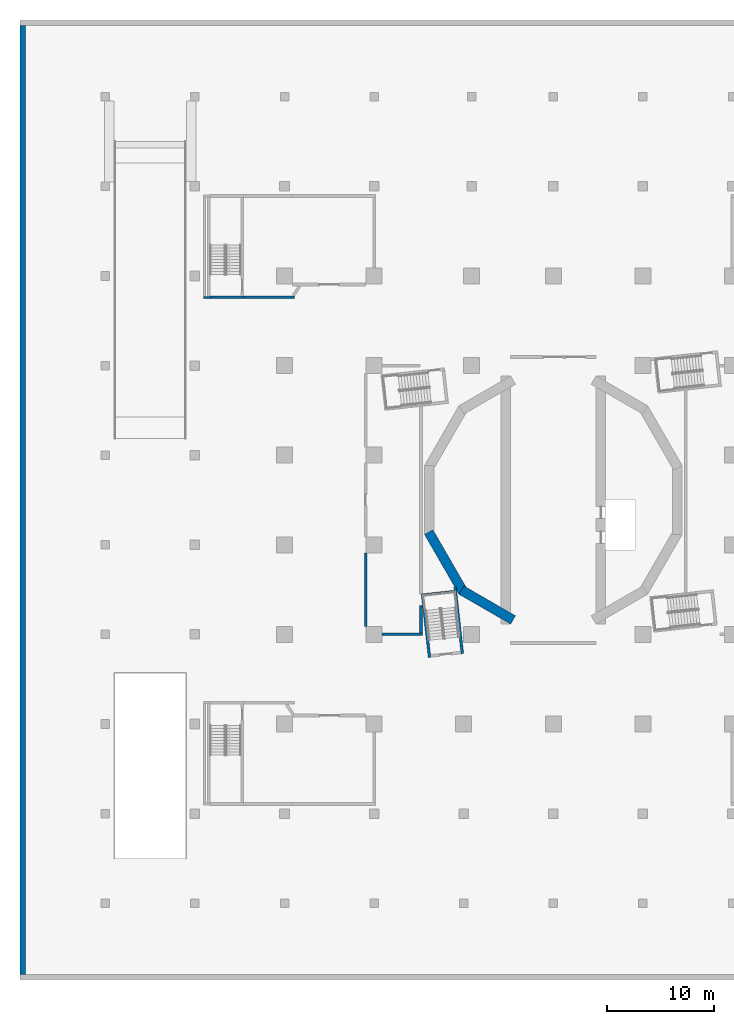
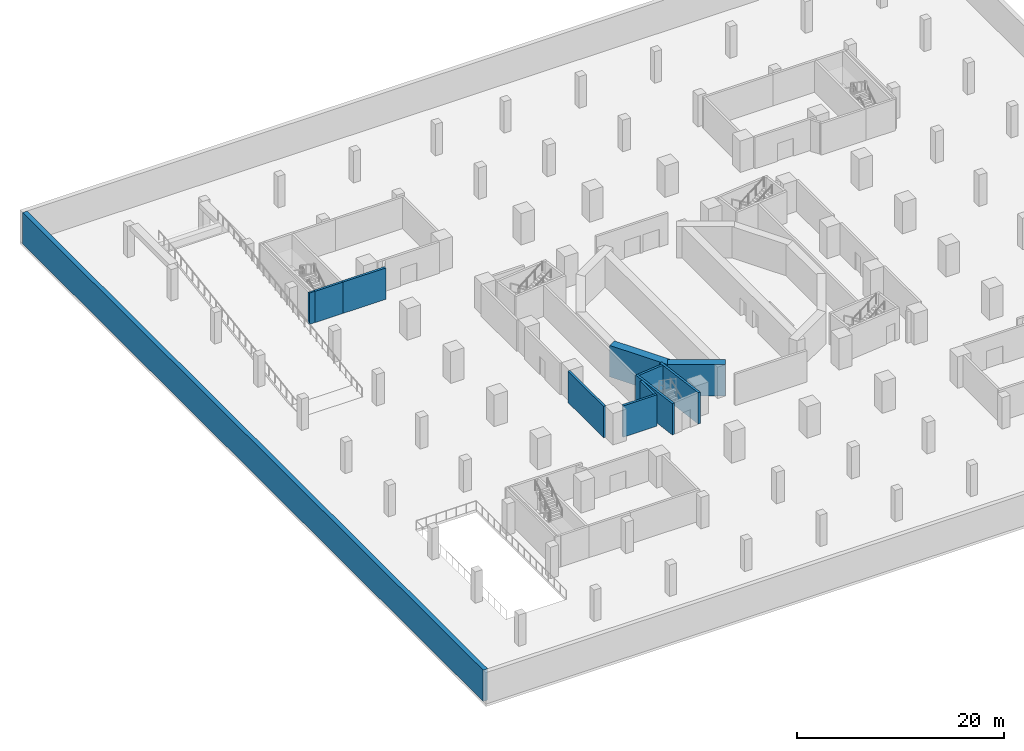
# One storey, part 5 of 18: 12 walls.
"""IFC4 building model written with IfcOpenShell, lengths in metres."""

from ifc_helpers import new_model, si_unit, direction, frame, frame_2d, origin, place, context, subcontext, project, spatial, rectangle, extrude, material, layer, layer_set, type_object, element, save


model = new_model("IFC4")

# Units and contexts
model_context = context("Model", 3, precision=1e-05, world=origin(), true_north=direction((0.0, 1.0)))
body_context = subcontext(model_context, "Body", "Model", "MODEL_VIEW")
ifc_project = project(units=[si_unit("LENGTHUNIT", "METRE"), si_unit("AREAUNIT", "SQUARE_METRE"), si_unit("VOLUMEUNIT", "CUBIC_METRE"), si_unit("PLANEANGLEUNIT", "RADIAN"), si_unit("MASSUNIT", "GRAM", prefix="KILO")], contexts=[model_context])

# Site, building, storey
site_placement = place(None, origin())
site = spatial("IfcSite", under=ifc_project, at=site_placement, CompositionType="ELEMENT")
building_placement = place(site_placement, origin())
building = spatial("IfcBuilding", under=site, at=building_placement, Name="Cantera Rosa Tower", CompositionType="ELEMENT")
storey_placement = place(building_placement, frame((0.0, 0.0, -13.0)))
storey = spatial("IfcBuildingStorey", under=building, at=storey_placement, Name="B3", CompositionType="ELEMENT", Elevation=-13.0)

# Walls
ifc_material_1 = material(Name="Masonry blockwork", Category="masonry")
ifc_layer_1 = layer(ifc_material_1, 0.199951171875)
ifc_layer_set_1 = layer_set([ifc_layer_1], Name="Blockwork partition 200")
wall_type_1 = type_object("IfcWallType", Name="Blockwork partition 200", PredefinedType="PARTITIONING", material=ifc_layer_set_1)
wall_1_placement = place(storey_placement, frame((-32.800048828125, 19.0, 0.0), z_axis=(0.0, 0.0, 1.0), x_axis=(1.0, 0.0, 0.0)))
element("IfcWall", 1, at=wall_1_placement, inside=storey, type_object=wall_type_1, Name="Partition B3-27", PredefinedType="PARTITIONING", context=body_context, shape_type="SweptSolid", body=[
    extrude(rectangle(XDim=0.625, YDim=0.199951171875, at=frame_2d((0.3125, 0.0))), origin(), (0.0, 0.0, 1.0), 3.699951171875),
])
ifc_material_2 = material(Name="Concrete C70/85", Category="concrete")
ifc_layer_2 = layer(ifc_material_2, 0.89990234375)
ifc_layer_set_2 = layer_set([ifc_layer_2], Name="Drum wall 900")
wall_type_2 = type_object("IfcWallType", Name="Drum wall 900", PredefinedType="SHEAR", material=ifc_layer_set_2)
wall_2_placement = place(storey_placement, frame((-3.77490234375, -11.242919921875, 0.0), z_axis=(0.0, 0.0, 1.0), x_axis=(-0.866026961591, 0.49999730179, 0.0)))
element("IfcWall", 2, at=wall_2_placement, inside=storey, type_object=wall_type_2, Name="Drum wall west 1 B3", PredefinedType="SHEAR", context=body_context, shape_type="SweptSolid", body=[
    extrude(rectangle(XDim=5.58740234375, YDim=0.89990234375, at=frame_2d((2.793701171875, 0.0))), origin(), (0.0, 0.0, 1.0), 3.699951171875),
])
wall_3_placement = place(storey_placement, frame((-8.44921875, -8.61376953125, 0.0), z_axis=(0.0, 0.0, 1.0), x_axis=(-0.499990282633, 0.866031014036, 0.0)))
element("IfcWall", 3, at=wall_3_placement, inside=storey, type_object=wall_type_2, Name="Drum wall west 2 B3", PredefinedType="SHEAR", context=body_context, shape_type="SweptSolid", body=[
    extrude(rectangle(XDim=6.470458984375, YDim=0.89990234375, at=frame_2d((3.2353515625, 0.0))), origin(), (0.0, 0.0, 1.0), 3.699951171875),
])
ifc_material_3 = material(Name="Concrete C50/60", Category="concrete")
ifc_layer_3 = layer(ifc_material_3, 0.25)
ifc_layer_set_3 = layer_set([ifc_layer_3], Name="External stair wall 250")
wall_type_3 = type_object("IfcWallType", Name="External stair wall 250", PredefinedType="SOLIDWALL", material=ifc_layer_set_3)
wall_4_placement = place(storey_placement, frame((-29.02490234375, 19.0, 0.0), z_axis=(0.0, 0.0, 1.0), x_axis=(-1.0, 0.0, 0.0)))
element("IfcWall", 4, at=wall_4_placement, inside=storey, type_object=wall_type_3, Name="Stair wall B3-28", PredefinedType="SOLIDWALL", context=body_context, shape_type="SweptSolid", body=[
    extrude(rectangle(XDim=3.150146484375, YDim=0.25, at=frame_2d((1.5751953125, 0.0))), origin(), (0.0, 0.0, 1.0), 3.699951171875),
])
ifc_material_4 = material(Name="Masonry blockwork", Category="masonry")
ifc_layer_4 = layer(ifc_material_4, 0.25)
ifc_layer_set_4 = layer_set([ifc_layer_4], Name="Fire-rated external wall 250")
wall_type_4 = type_object("IfcWallType", Name="Fire-rated external wall 250", PredefinedType="PARTITIONING", material=ifc_layer_set_4)
wall_5_placement = place(storey_placement, frame((-16.050048828125, -12.60009765625, 0.0), z_axis=(0.0, 0.0, 1.0), x_axis=(1.0, 0.0, 0.0)))
element("IfcWall", 5, at=wall_5_placement, inside=storey, type_object=wall_type_4, Name="Fire wall B3-6", PredefinedType="PARTITIONING", context=body_context, shape_type="SweptSolid", body=[
    extrude(rectangle(XDim=3.775146484375, YDim=0.25, at=frame_2d((1.8876953125, 0.0))), origin(), (0.0, 0.0, 1.0), 3.699951171875),
])
wall_6_placement = place(storey_placement, frame((-12.39990234375, -12.47509765625, 0.0), z_axis=(0.0, 0.0, 1.0), x_axis=(0.0, 1.0, 0.0)))
element("IfcWall", 6, at=wall_6_placement, inside=storey, type_object=wall_type_4, Name="Fire wall B3-14", PredefinedType="PARTITIONING", context=body_context, shape_type="SweptSolid", body=[
    extrude(rectangle(XDim=2.594482421875, YDim=0.25, at=frame_2d((1.29736328125, 0.0))), origin(), (0.0, 0.0, 1.0), 3.699951171875),
])
wall_7_placement = place(storey_placement, frame((-29.02490234375, 19.0, 0.0), z_axis=(0.0, 0.0, 1.0), x_axis=(1.0, 0.0, 0.0)))
element("IfcWall", 7, at=wall_7_placement, inside=storey, type_object=wall_type_4, Name="Fire wall B3-29", PredefinedType="PARTITIONING", context=body_context, shape_type="SweptSolid", body=[
    extrude(rectangle(XDim=4.75, YDim=0.25, at=frame_2d((2.375, 0.0))), origin(), (0.0, 0.0, 1.0), 3.699951171875),
])
ifc_material_5 = material(Name="Masonry blockwork", Category="masonry")
ifc_layer_5 = layer(ifc_material_5, 0.25)
ifc_layer_set_5 = layer_set([ifc_layer_5], Name="Fire-rated wall 250")
wall_type_5 = type_object("IfcWallType", Name="Fire-rated wall 250", PredefinedType="PARTITIONING", material=ifc_layer_set_5)
wall_8_placement = place(storey_placement, frame((-17.60009765625, -11.85009765625, 0.0), z_axis=(0.0, 0.0, 1.0), x_axis=(0.0, 1.0, 0.0)))
element("IfcWall", 8, at=wall_8_placement, inside=storey, type_object=wall_type_5, Name="Fire wall B3-11", PredefinedType="PARTITIONING", context=body_context, shape_type="SweptSolid", body=[
    extrude(rectangle(XDim=6.900146484375, YDim=0.25, at=frame_2d((3.4501953125, 0.0))), origin(), (0.0, 0.0, 1.0), 3.699951171875),
])
ifc_material_6 = material(Name="Concrete C50/60", Category="concrete")
ifc_layer_6 = layer(ifc_material_6, 0.25)
ifc_layer_set_6 = layer_set([ifc_layer_6], Name="RC stair wall 250 C50/60")
wall_type_6 = type_object("IfcWallType", Name="RC stair wall 250", PredefinedType="SOLIDWALL", material=ifc_layer_set_6)
wall_9_placement = place(storey_placement, frame((-11.609619140625, -14.752685546875, 0.0), z_axis=(0.0, 0.0, 1.0), x_axis=(-0.110310943534, 0.993897125329, 0.0)))
element("IfcWall", 9, at=wall_9_placement, inside=storey, type_object=wall_type_6, Name="Stair wall ST-13 B3-2", PredefinedType="SOLIDWALL", context=body_context, shape_type="SweptSolid", body=[
    extrude(rectangle(XDim=6.0, YDim=0.25, at=frame_2d((3.0, 0.0))), origin(), (0.0, 0.0, 1.0), 3.699951171875),
])
wall_10_placement = place(storey_placement, frame((-12.133544921875, -8.899658203125, 0.0), z_axis=(0.0, 0.0, 1.0), x_axis=(0.993904609394, 0.110243491536, 0.0)))
element("IfcWall", 10, at=wall_10_placement, inside=storey, type_object=wall_type_6, Name="Stair wall ST-13 B3-3", PredefinedType="SOLIDWALL", context=body_context, shape_type="SweptSolid", body=[
    extrude(rectangle(XDim=2.85009765625, YDim=0.25, at=frame_2d((1.425048828125, 0.0))), origin(), (0.0, 0.0, 1.0), 3.699951171875),
])
wall_11_placement = place(storey_placement, frame((-9.22021484375, -8.17822265625, 0.0), z_axis=(0.0, 0.0, 1.0), x_axis=(0.110299055694, -0.993898444668, 0.0)))
element("IfcWall", 11, at=wall_11_placement, inside=storey, type_object=wall_type_6, Name="Stair wall ST-13 B3-4", PredefinedType="SOLIDWALL", context=body_context, shape_type="SweptSolid", body=[
    extrude(rectangle(XDim=6.270751953125, YDim=0.25, at=frame_2d((3.13525390625, 0.0))), origin(), (0.0, 0.0, 1.0), 3.699951171875),
])
ifc_material_7 = material(Name="Concrete C40/50", Category="concrete")
ifc_layer_7 = layer(ifc_material_7, 0.5)
ifc_layer_set_7 = layer_set([ifc_layer_7], Name="Retaining wall 500")
wall_type_7 = type_object("IfcWallType", Name="Retaining wall 500", PredefinedType="SOLIDWALL", material=ifc_layer_set_7)
wall_12_placement = place(storey_placement, frame((-49.75, -44.5, 0.0), z_axis=(0.0, 0.0, 1.0), x_axis=(0.0, 1.0, 0.0)))
element("IfcWall", 12, at=wall_12_placement, inside=storey, type_object=wall_type_7, Name="Retaining wall W B3", PredefinedType="SOLIDWALL", context=body_context, shape_type="SweptSolid", body=[
    extrude(rectangle(XDim=89.0, YDim=0.5, at=frame_2d((44.5, 0.0))), origin(), (0.0, 0.0, 1.0), 3.699951171875),
])

save(model, "model.ifc")
